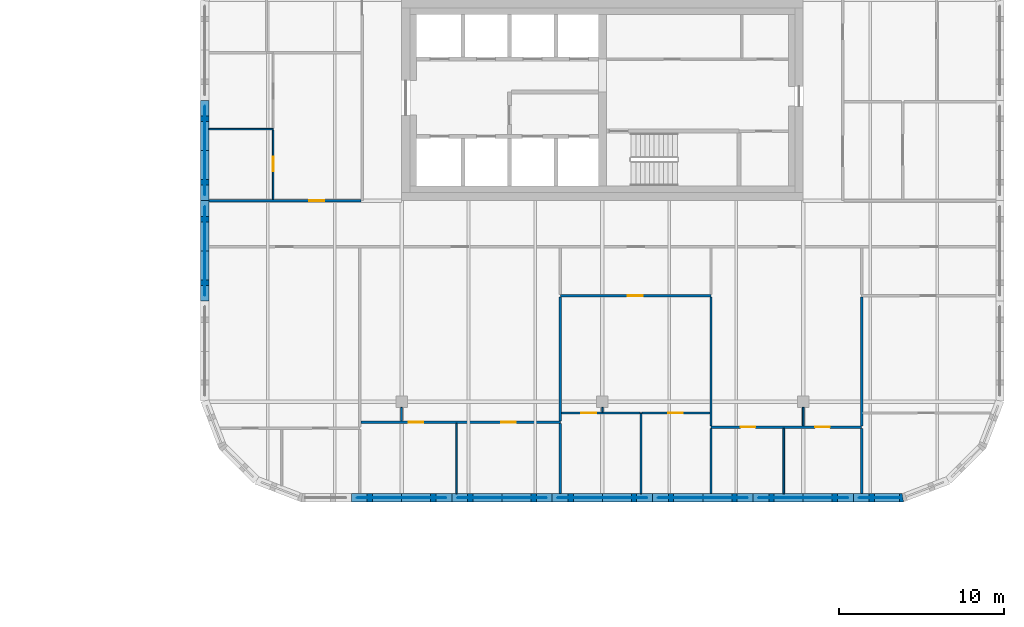
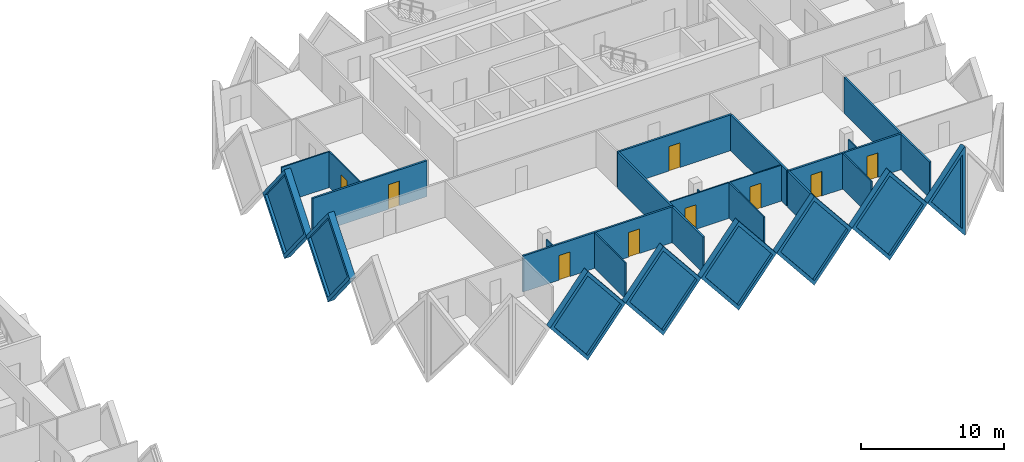
# One storey, part 12 of 19: 28 walls, 9 doors, 8 plates, 17 openings.
"""IFC4 building model written with IfcOpenShell, lengths in metres."""

from ifc_helpers import new_model, si_unit, direction, frame, frame_2d, origin, place, context, subcontext, project, spatial, polyline, rectangle, outline, extrude, faceted_brep, source, transform, mapped, material, layer, layer_set, type_object, element, fill, save


model = new_model("IFC4")

# Units and contexts
model_context = context("Model", 3, precision=1e-05, world=origin(), true_north=direction((0.0, 1.0)))
body_context = subcontext(model_context, "Body", "Model", "MODEL_VIEW")
ifc_project = project(units=[si_unit("LENGTHUNIT", "METRE"), si_unit("AREAUNIT", "SQUARE_METRE"), si_unit("VOLUMEUNIT", "CUBIC_METRE"), si_unit("PLANEANGLEUNIT", "RADIAN"), si_unit("MASSUNIT", "GRAM", prefix="KILO")], contexts=[model_context])

# Site, building, storey
site_placement = place(None, origin())
site = spatial("IfcSite", under=ifc_project, at=site_placement, CompositionType="ELEMENT")
building_placement = place(site_placement, origin())
building = spatial("IfcBuilding", under=site, at=building_placement, Name="Tessera Gate Towers", CompositionType="ELEMENT")
storey_placement = place(building_placement, frame((0.0, 0.0, 76.199951171875)))
storey = spatial("IfcBuildingStorey", under=building, at=storey_placement, Name="L18", CompositionType="ELEMENT", Elevation=76.199951171875)

# Wall, opening, door
ifc_material_1 = material(Name="Gypsum board on steel studs, mineral wool", Category="steel")
ifc_layer_1 = layer(ifc_material_1, 0.14990234375)
ifc_layer_set_1 = layer_set([ifc_layer_1], Name="CORRIDOR WALL 150")
wall_type_1 = type_object("IfcWallType", Name="CORRIDOR WALL 150", PredefinedType="PARTITIONING", material=ifc_layer_set_1)
wall_1_placement = place(storey_placement, frame((85.89990234375, 36.60009765625, 0.0), z_axis=(0.0, 0.0, 1.0), x_axis=(1.0, 0.0, 0.0)))
wall_1 = element("IfcWall", 1, at=wall_1_placement, inside=storey, type_object=wall_type_1, Name="T2-L18-PW-028", PredefinedType="PARTITIONING", context=body_context, shape_type="SweptSolid", body=[
    extrude(rectangle(XDim=9.22412109375, YDim=0.14990234375, at=frame_2d((4.612060546875, 0.0))), origin(), (0.0, 0.0, 1.0), 3.067138671875),
])
shared_shape_1 = source(origin(), body_context, "Body", "SweptSolid", [
    extrude(rectangle(XDim=0.89990234375, YDim=2.10009765625, at=frame_2d((0.449951171875, 1.050048828125))), frame((0.0, 0.0849609375, 0.0), z_axis=(0.0, -1.0, 0.0), x_axis=(1.0, 0.0, 0.0)), (0.0, 0.0, 1.0), 0.169921875),
])
opening_1_placement = place(wall_1_placement, frame((6.10009765625, 0.0, 0.0)))
opening_1 = element("IfcOpeningElement", 2, at=opening_1_placement, cuts=wall_1, Name="Opening D890FD60-B07-03", PredefinedType="OPENING", context=body_context, shape_type="MappedRepresentation", body=[
    mapped(shared_shape_1, transform((0.0, 0.0, 0.0), scale=1.0)),
])
ifc_material_2 = material(Name="Timber door leaf in steel frame", Category="steel")
door_type_1 = type_object("IfcDoorType", Name="CORRIDOR DOOR 900 FD60", OperationType="NOTDEFINED", PredefinedType="DOOR", material=ifc_material_2)
shared_shape_2 = source(origin(), body_context, "Body", "SweptSolid", [
    extrude(rectangle(XDim=0.89990234375, YDim=2.10009765625, at=frame_2d((0.449951171875, 1.050048828125))), frame((0.0, 0.02490234375, 0.0), z_axis=(0.0, -1.0, 0.0), x_axis=(1.0, 0.0, 0.0)), (0.0, 0.0, 1.0), 0.050048828125),
])
door_1_placement = place(opening_1_placement, origin())
door_1 = element("IfcDoor", 3, at=door_1_placement, inside=storey, type_object=door_type_1, Name="T2-L18-PD-028", OperationType="SINGLE_SWING_LEFT", OverallHeight=2.10009765625, OverallWidth=0.89990234375, PredefinedType="DOOR", context=body_context, shape_type="MappedRepresentation", body=[
    mapped(shared_shape_2, transform((0.0, 0.0, 0.0), scale=1.0)),
])
fill(opening_1, door_1)

ifc_material_3 = material(Name="Glass", Category="glass")
ifc_layer_2 = layer(ifc_material_3, 0.10009765625)
ifc_layer_set_2 = layer_set([ifc_layer_2], Name="GLAZED PARTITION 100")
wall_type_2 = type_object("IfcWallType", Name="GLAZED PARTITION 100", PredefinedType="PARTITIONING", material=ifc_layer_set_2)
wall_2_placement = place(storey_placement, frame((89.800048828125, 36.676025390625, 0.0), z_axis=(0.0, 0.0, 1.0), x_axis=(0.0, 1.0, 0.0)))
wall_2 = element("IfcWall", 4, at=wall_2_placement, inside=storey, type_object=wall_type_2, Name="T2-L18-PW-032", PredefinedType="PARTITIONING", context=body_context, shape_type="SweptSolid", body=[
    extrude(rectangle(XDim=4.220703125, YDim=0.10009765625, at=frame_2d((2.1103515625, 0.0))), origin(), (0.0, 0.0, 1.0), 3.067138671875),
])
shared_shape_3 = source(origin(), body_context, "Body", "SweptSolid", [
    extrude(rectangle(XDim=0.89990234375, YDim=2.10009765625, at=frame_2d((0.449951171875, 1.050048828125))), frame((0.0, 0.06005859375, 0.0), z_axis=(0.0, -1.0, 0.0), x_axis=(1.0, 0.0, 0.0)), (0.0, 0.0, 1.0), 0.1201171875),
])
opening_2_placement = place(wall_2_placement, frame((1.699951171875, 0.0, 0.0)))
opening_2 = element("IfcOpeningElement", 5, at=opening_2_placement, cuts=wall_2, Name="Opening D690-B07-01", PredefinedType="OPENING", context=body_context, shape_type="MappedRepresentation", body=[
    mapped(shared_shape_3, transform((0.0, 0.0, 0.0), scale=1.0)),
])
ifc_material_4 = material(Name="Glass in aluminium frame", Category="aluminium")
door_type_2 = type_object("IfcDoorType", Name="GLAZED DOOR 900 NOT RATED", OperationType="NOTDEFINED", PredefinedType="DOOR", material=ifc_material_4)
door_2_placement = place(opening_2_placement, origin())
door_2 = element("IfcDoor", 6, at=door_2_placement, inside=storey, type_object=door_type_2, Name="T2-L18-PD-003", OperationType="SINGLE_SWING_LEFT", OverallHeight=2.10009765625, OverallWidth=0.89990234375, PredefinedType="DOOR", context=body_context, shape_type="MappedRepresentation", body=[
    mapped(shared_shape_2, transform((0.0, 0.0, 0.0), scale=1.0)),
])
fill(opening_2, door_2)

# Walls
ifc_material_5 = material(Name="Gypsum board on steel studs", Category="steel")
ifc_layer_3 = layer(ifc_material_5, 0.10009765625)
ifc_layer_set_3 = layer_set([ifc_layer_3], Name="PARTITION 100")
wall_type_3 = type_object("IfcWallType", Name="PARTITION 100", PredefinedType="PARTITIONING", material=ifc_layer_set_3)
wall_3_placement = place(storey_placement, frame((100.944091796875, 18.800048828125, 0.0), z_axis=(0.0, 0.0, 1.0), x_axis=(0.0, 1.0, 0.0)))
element("IfcWall", 7, at=wall_3_placement, inside=storey, type_object=wall_type_3, Name="T2-L18-PW-002", PredefinedType="PARTITIONING", context=body_context, shape_type="SweptSolid", body=[
    extrude(rectangle(XDim=4.27392578125, YDim=0.10009765625, at=frame_2d((2.136962890625, 0.0))), origin(), (0.0, 0.0, 1.0), 3.067138671875),
])
wall_4_placement = place(storey_placement, frame((112.14501953125, 18.800048828125, 0.0), z_axis=(0.0, 0.0, 1.0), x_axis=(0.0, 1.0, 0.0)))
element("IfcWall", 8, at=wall_4_placement, inside=storey, type_object=wall_type_3, Name="T2-L18-PW-004", PredefinedType="PARTITIONING", context=body_context, shape_type="SweptSolid", body=[
    extrude(rectangle(XDim=4.89990234375, YDim=0.10009765625, at=frame_2d((2.449951171875, 0.0))), origin(), (0.0, 0.0, 1.0), 3.067138671875),
])
wall_5_placement = place(storey_placement, frame((120.820068359375, 18.800048828125, 0.0), z_axis=(0.0, 0.0, 1.0), x_axis=(0.0, 1.0, 0.0)))
element("IfcWall", 9, at=wall_5_placement, inside=storey, type_object=wall_type_3, Name="T2-L18-PW-006", PredefinedType="PARTITIONING", context=body_context, shape_type="SweptSolid", body=[
    extrude(rectangle(XDim=3.973876953125, YDim=0.10009765625, at=frame_2d((1.98681640625, 0.0))), origin(), (0.0, 0.0, 1.0), 3.067138671875),
])

# Wall, opening, door
wall_6_placement = place(storey_placement, frame((112.09423828125, 23.699951171875, 0.0), z_axis=(0.0, 0.0, 1.0), x_axis=(-1.0, 0.0, 0.0)))
wall_6 = element("IfcWall", 10, at=wall_6_placement, inside=storey, type_object=wall_type_3, Name="T2-L18-PW-016", PredefinedType="PARTITIONING", context=body_context, shape_type="SweptSolid", body=[
    extrude(rectangle(XDim=4.768310546875, YDim=0.10009765625, at=frame_2d((2.38427734375, 0.0))), origin(), (0.0, 0.0, 1.0), 3.067138671875),
])
opening_3_placement = place(wall_6_placement, frame((2.668212890625, 0.0, 0.0)))
opening_3 = element("IfcOpeningElement", 11, at=opening_3_placement, cuts=wall_6, Name="Opening D190-B07-06", PredefinedType="OPENING", context=body_context, shape_type="MappedRepresentation", body=[
    mapped(shared_shape_3, transform((0.0, 0.0, 0.0), scale=1.0)),
])
ifc_material_6 = material(Name="Timber door leaf in steel frame", Category="steel")
door_type_3 = type_object("IfcDoorType", Name="INTERNAL DOOR 900 NOT RATED", OperationType="NOTDEFINED", PredefinedType="DOOR", material=ifc_material_6)
door_3_placement = place(opening_3_placement, origin())
door_3 = element("IfcDoor", 12, at=door_3_placement, inside=storey, type_object=door_type_3, Name="T2-L18-PD-009", OperationType="SINGLE_SWING_LEFT", OverallHeight=2.10009765625, OverallWidth=0.89990234375, PredefinedType="DOOR", context=body_context, shape_type="MappedRepresentation", body=[
    mapped(shared_shape_2, transform((0.0, 0.0, 0.0), scale=1.0)),
])
fill(opening_3, door_3)

wall_7_placement = place(storey_placement, frame((116.323974609375, 23.699951171875, 0.0), z_axis=(0.0, 0.0, 1.0), x_axis=(-1.0, 0.0, 0.0)))
wall_7 = element("IfcWall", 13, at=wall_7_placement, inside=storey, type_object=wall_type_3, Name="T2-L18-PW-017", PredefinedType="PARTITIONING", context=body_context, shape_type="SweptSolid", body=[
    extrude(rectangle(XDim=4.127685546875, YDim=0.10009765625, at=frame_2d((2.06396484375, 0.0))), origin(), (0.0, 0.0, 1.0), 3.067138671875),
])
opening_4_placement = place(wall_7_placement, frame((1.627685546875, 0.0, 0.0)))
opening_4 = element("IfcOpeningElement", 14, at=opening_4_placement, cuts=wall_7, Name="Opening D190-B07-02", PredefinedType="OPENING", context=body_context, shape_type="MappedRepresentation", body=[
    mapped(shared_shape_3, transform((0.0, 0.0, 0.0), scale=1.0)),
])
door_4_placement = place(opening_4_placement, origin())
door_4 = element("IfcDoor", 15, at=door_4_placement, inside=storey, type_object=door_type_3, Name="T2-L18-PD-002", OperationType="SINGLE_SWING_RIGHT", OverallHeight=2.10009765625, OverallWidth=0.89990234375, PredefinedType="DOOR", context=body_context, shape_type="MappedRepresentation", body=[
    mapped(shared_shape_2, transform((0.0, 0.0, 0.0), scale=1.0)),
])
fill(opening_4, door_4)

# Walls
wall_8_placement = place(storey_placement, frame((97.60009765625, 24.050048828125, 0.0), z_axis=(0.0, 0.0, 1.0), x_axis=(0.0, -1.0, 0.0)))
element("IfcWall", 16, at=wall_8_placement, inside=storey, type_object=wall_type_3, Name="T2-L18-PW-019", PredefinedType="PARTITIONING", context=body_context, shape_type="SweptSolid", body=[
    extrude(rectangle(XDim=0.824951171875, YDim=0.10009765625, at=frame_2d((0.41259765625, 0.0))), origin(), (0.0, 0.0, 1.0), 3.067138671875),
])
wall_9_placement = place(storey_placement, frame((109.800048828125, 24.050048828125, 0.0), z_axis=(0.0, 0.0, 1.0), x_axis=(0.0, -1.0, 0.0)))
element("IfcWall", 17, at=wall_9_placement, inside=storey, type_object=wall_type_3, Name="T2-L18-PW-020", PredefinedType="PARTITIONING", context=body_context, shape_type="SweptSolid", body=[
    extrude(rectangle(XDim=0.300048828125, YDim=0.10009765625, at=frame_2d((0.14990234375, 0.0))), origin(), (0.0, 0.0, 1.0), 3.067138671875),
])
wall_10_placement = place(storey_placement, frame((122.0, 24.050048828125, 0.0), z_axis=(0.0, 0.0, 1.0), x_axis=(0.0, -1.0, 0.0)))
element("IfcWall", 18, at=wall_10_placement, inside=storey, type_object=wall_type_3, Name="T2-L18-PW-021", PredefinedType="PARTITIONING", context=body_context, shape_type="SweptSolid", body=[
    extrude(rectangle(XDim=1.125, YDim=0.10009765625, at=frame_2d((0.5625, 0.0))), origin(), (0.0, 0.0, 1.0), 3.067138671875),
])
wall_11_placement = place(storey_placement, frame((85.89990234375, 40.947998046875, 0.0), z_axis=(0.0, 0.0, 1.0), x_axis=(1.0, 0.0, 0.0)))
element("IfcWall", 19, at=wall_11_placement, inside=storey, type_object=wall_type_3, Name="T2-L18-PW-034", PredefinedType="PARTITIONING", context=body_context, shape_type="SweptSolid", body=[
    extrude(rectangle(XDim=3.900146484375, YDim=0.10009765625, at=frame_2d((1.9501953125, 0.0))), origin(), (0.0, 0.0, 1.0), 3.067138671875),
])
ifc_material_7 = material(Name="Gypsum board on steel studs, mineral wool", Category="steel")
ifc_layer_4 = layer(ifc_material_7, 0.14990234375)
ifc_layer_set_4 = layer_set([ifc_layer_4], Name="TENANCY WALL 150")
wall_type_4 = type_object("IfcWallType", Name="TENANCY WALL 150", PredefinedType="PARTITIONING", material=ifc_layer_set_4)
wall_12_placement = place(storey_placement, frame((107.25, 18.800048828125, 0.0), z_axis=(0.0, 0.0, 1.0), x_axis=(0.0, 1.0, 0.0)))
element("IfcWall", 20, at=wall_12_placement, inside=storey, type_object=wall_type_4, Name="T2-L18-PW-003", PredefinedType="PARTITIONING", context=body_context, shape_type="SweptSolid", body=[
    extrude(rectangle(XDim=4.27392578125, YDim=0.14990234375, at=frame_2d((2.136962890625, 0.0))), origin(), (0.0, 0.0, 1.0), 3.067138671875),
])
for number, where, z_axis, x_axis, name in (
    (21, (116.39990234375, 18.800048828125, 0.0), (0.0, 0.0, 1.0), (0.0, 1.0, 0.0), "T2-L18-PW-005"),
    (22, (125.550048828125, 18.800048828125, 0.0), (0.0, 0.0, 1.0), (0.0, 1.0, 0.0), "T2-L18-PW-007"),
):
    element("IfcWall", number, at=place(storey_placement, frame(where, z_axis=z_axis, x_axis=x_axis)), inside=storey, type_object=wall_type_4, Name=name, PredefinedType="PARTITIONING", context=body_context, shape_type="SweptSolid", body=[
        extrude(rectangle(XDim=3.973876953125, YDim=0.14990234375, at=frame_2d((1.98681640625, 0.0))), origin(), (0.0, 0.0, 1.0), 3.067138671875),
    ])

# Wall, openings, doors
wall_13_placement = place(storey_placement, frame((125.550048828125, 22.85009765625, 0.0), z_axis=(0.0, 0.0, 1.0), x_axis=(-1.0, 0.0, 0.0)))
wall_13 = element("IfcWall", 23, at=wall_13_placement, inside=storey, type_object=wall_type_4, Name="T2-L18-PW-011", PredefinedType="PARTITIONING", context=body_context, shape_type="SweptSolid", body=[
    extrude(rectangle(XDim=9.150146484375, YDim=0.14990234375, at=frame_2d((4.5751953125, 0.0))), origin(), (0.0, 0.0, 1.0), 3.067138671875),
])
opening_5_placement = place(wall_13_placement, frame((6.449951171875, 0.0, 0.0)))
opening_5 = element("IfcOpeningElement", 24, at=opening_5_placement, cuts=wall_13, Name="Opening D190-B07-03", PredefinedType="OPENING", context=body_context, shape_type="MappedRepresentation", body=[
    mapped(shared_shape_1, transform((0.0, 0.0, 0.0), scale=1.0)),
])
opening_6_placement = place(wall_13_placement, frame((1.9296875, 0.0, 0.0)))
opening_6 = element("IfcOpeningElement", 25, at=opening_6_placement, cuts=wall_13, Name="Opening D190-B07-05", PredefinedType="OPENING", context=body_context, shape_type="MappedRepresentation", body=[
    mapped(shared_shape_1, transform((0.0, 0.0, 0.0), scale=1.0)),
])
door_5_placement = place(opening_5_placement, origin())
door_5 = element("IfcDoor", 26, at=door_5_placement, inside=storey, type_object=door_type_3, Name="T2-L18-PD-004", OperationType="SINGLE_SWING_RIGHT", OverallHeight=2.10009765625, OverallWidth=0.89990234375, PredefinedType="DOOR", context=body_context, shape_type="MappedRepresentation", body=[
    mapped(shared_shape_2, transform((0.0, 0.0, 0.0), scale=1.0)),
])
fill(opening_5, door_5)
door_6_placement = place(opening_6_placement, origin())
door_6 = element("IfcDoor", 27, at=door_6_placement, inside=storey, type_object=door_type_3, Name="T2-L18-PD-008", OperationType="SINGLE_SWING_RIGHT", OverallHeight=2.10009765625, OverallWidth=0.89990234375, PredefinedType="DOOR", context=body_context, shape_type="MappedRepresentation", body=[
    mapped(shared_shape_2, transform((0.0, 0.0, 0.0), scale=1.0)),
])
fill(opening_6, door_6)

# Walls
for number, where, z_axis, x_axis, name in (
    (28, (116.39990234375, 22.926025390625, 0.0), (0.0, 0.0, 1.0), (0.0, 1.0, 0.0), "T2-L18-PW-012"),
    (29, (125.550048828125, 22.926025390625, 0.0), (0.0, 0.0, 1.0), (0.0, 1.0, 0.0), "T2-L18-PW-013"),
):
    element("IfcWall", number, at=place(storey_placement, frame(where, z_axis=z_axis, x_axis=x_axis)), inside=storey, type_object=wall_type_4, Name=name, PredefinedType="PARTITIONING", context=body_context, shape_type="SweptSolid", body=[
        extrude(rectangle(XDim=7.822998046875, YDim=0.14990234375, at=frame_2d((3.91162109375, 0.0))), origin(), (0.0, 0.0, 1.0), 3.067138671875),
    ])

# Wall, openings, doors
wall_14_placement = place(storey_placement, frame((107.25, 23.14990234375, 0.0), z_axis=(0.0, 0.0, 1.0), x_axis=(-1.0, 0.0, 0.0)))
wall_14 = element("IfcWall", 30, at=wall_14_placement, inside=storey, type_object=wall_type_4, Name="T2-L18-PW-014", PredefinedType="PARTITIONING", context=body_context, shape_type="SweptSolid", body=[
    extrude(rectangle(XDim=12.1240234375, YDim=0.14990234375, at=frame_2d((6.06201171875, 0.0))), origin(), (0.0, 0.0, 1.0), 3.067138671875),
])
opening_7_placement = place(wall_14_placement, frame((8.323974609375, 0.0, 0.0)))
opening_7 = element("IfcOpeningElement", 31, at=opening_7_placement, cuts=wall_14, Name="Opening D190-B07-07", PredefinedType="OPENING", context=body_context, shape_type="MappedRepresentation", body=[
    mapped(shared_shape_1, transform((0.0, 0.0, 0.0), scale=1.0)),
])
opening_8_placement = place(wall_14_placement, frame((2.706298828125, 0.0, 0.0)))
opening_8 = element("IfcOpeningElement", 32, at=opening_8_placement, cuts=wall_14, Name="Opening D190-B07-08", PredefinedType="OPENING", context=body_context, shape_type="MappedRepresentation", body=[
    mapped(shared_shape_1, transform((0.0, 0.0, 0.0), scale=1.0)),
])
door_7_placement = place(opening_7_placement, origin())
door_7 = element("IfcDoor", 33, at=door_7_placement, inside=storey, type_object=door_type_3, Name="T2-L18-PD-011", OperationType="SINGLE_SWING_RIGHT", OverallHeight=2.10009765625, OverallWidth=0.89990234375, PredefinedType="DOOR", context=body_context, shape_type="MappedRepresentation", body=[
    mapped(shared_shape_2, transform((0.0, 0.0, 0.0), scale=1.0)),
])
fill(opening_7, door_7)
door_8_placement = place(opening_8_placement, origin())
door_8 = element("IfcDoor", 34, at=door_8_placement, inside=storey, type_object=door_type_3, Name="T2-L18-PD-013", OperationType="SINGLE_SWING_RIGHT", OverallHeight=2.10009765625, OverallWidth=0.89990234375, PredefinedType="DOOR", context=body_context, shape_type="MappedRepresentation", body=[
    mapped(shared_shape_2, transform((0.0, 0.0, 0.0), scale=1.0)),
])
fill(opening_8, door_8)

# Wall
wall_15_placement = place(storey_placement, frame((107.25, 23.22607421875, 0.0), z_axis=(0.0, 0.0, 1.0), x_axis=(0.0, 1.0, 0.0)))
element("IfcWall", 35, at=wall_15_placement, inside=storey, type_object=wall_type_4, Name="T2-L18-PW-015", PredefinedType="PARTITIONING", context=body_context, shape_type="SweptSolid", body=[
    extrude(rectangle(XDim=7.52294921875, YDim=0.14990234375, at=frame_2d((3.761474609375, 0.0))), origin(), (0.0, 0.0, 1.0), 3.067138671875),
])

# Wall, opening, door
wall_16_placement = place(storey_placement, frame((116.39990234375, 30.824951171875, 0.0), z_axis=(0.0, 0.0, 1.0), x_axis=(-1.0, 0.0, 0.0)))
wall_16 = element("IfcWall", 36, at=wall_16_placement, inside=storey, type_object=wall_type_4, Name="T2-L18-PW-022", PredefinedType="PARTITIONING", context=body_context, shape_type="SweptSolid", body=[
    extrude(rectangle(XDim=9.14990234375, YDim=0.14990234375, at=frame_2d((4.574951171875, 0.0))), origin(), (0.0, 0.0, 1.0), 3.067138671875),
])
opening_9_placement = place(wall_16_placement, frame((4.14990234375, 0.0, 0.0)))
opening_9 = element("IfcOpeningElement", 37, at=opening_9_placement, cuts=wall_16, Name="Opening D190-B07-12", PredefinedType="OPENING", context=body_context, shape_type="MappedRepresentation", body=[
    mapped(shared_shape_1, transform((0.0, 0.0, 0.0), scale=1.0)),
])
door_9_placement = place(opening_9_placement, origin())
door_9 = element("IfcDoor", 38, at=door_9_placement, inside=storey, type_object=door_type_3, Name="T2-L18-PD-024", OperationType="SINGLE_SWING_RIGHT", OverallHeight=2.10009765625, OverallWidth=0.89990234375, PredefinedType="DOOR", context=body_context, shape_type="MappedRepresentation", body=[
    mapped(shared_shape_2, transform((0.0, 0.0, 0.0), scale=1.0)),
])
fill(opening_9, door_9)

# Wall, opening, plate
ifc_material_8 = material(Name="Precast concrete C60/75 white", Category="concrete")
ifc_layer_5 = layer(ifc_material_8, 0.5)
ifc_layer_set_5 = layer_set([ifc_layer_5], Name="TS1 tessera")
wall_type_5 = type_object("IfcWallType", Name="TS1 tessera", PredefinedType="SOLIDWALL", material=ifc_layer_set_5)
shared_shape_4 = source(origin(), body_context, "Body", "Brep", [
    faceted_brep([(3.050048828125, -0.25, 0.0), (6.099853515625, -0.25, 3.7998046875), (6.099853515625, -0.25, 3.80029296875), (3.050048828125, -0.25, 7.60009765625), (0.0, -0.25, 3.800048828125), (0.0, 0.25, 3.800048828125), (3.050048828125, 0.25, 7.60009765625), (6.099853515625, 0.25, 3.80029296875), (6.099853515625, 0.25, 3.7998046875), (3.050048828125, 0.25, 0.0)], [[[0, 1, 2, 3, 4]], [[5, 6, 7, 8, 9]], [[9, 8, 1, 0]], [[7, 6, 3, 2]], [[6, 5, 4, 3]], [[5, 9, 0, 4]], [[1, 8, 7, 2]]]),
])
wall_17_placement = place(storey_placement, frame((94.550048828125, 18.550048828125, -3.800048828125), z_axis=(0.0, 0.0, 1.0), x_axis=(1.0, 0.0, 0.0)))
wall_17 = element("IfcWall", 39, at=wall_17_placement, inside=storey, type_object=wall_type_5, Name="Precast tessera T2 TS1-0198", PredefinedType="SOLIDWALL", context=body_context, shape_type="MappedRepresentation", body=[
    mapped(shared_shape_4, transform((0.0, 0.0, 0.0), scale=1.0)),
])
shared_shape_5 = source(origin(), body_context, "Body", "SweptSolid", [
    extrude(outline(polyline([(3.050048828125, 0.3994140625), (5.779541015625, 3.800048828125), (3.050048828125, 7.20068359375), (0.320556640625, 3.800048828125), (3.050048828125, 0.3994140625)])), frame((0.0, 0.260009765625, 0.0), z_axis=(0.0, -1.0, 0.0), x_axis=(1.0, 0.0, 0.0)), (0.0, 0.0, 1.0), 0.52001953125),
])
opening_10_placement = place(wall_17_placement, origin())
opening_10 = element("IfcOpeningElement", 40, at=opening_10_placement, cuts=wall_17, Name="Opening T2-PL2-0376", PredefinedType="OPENING", context=body_context, shape_type="MappedRepresentation", body=[
    mapped(shared_shape_5, transform((0.0, 0.0, 0.0), scale=1.0)),
])
ifc_material_9 = material(Name="Low-e laminated glass", Category="glass")
ifc_layer_6 = layer(ifc_material_9, 0.06005859375)
ifc_layer_set_6 = layer_set([ifc_layer_6], Name="PL2 rhombic pane")
plate_type = type_object("IfcPlateType", Name="PL2 rhombic pane", PredefinedType="SHEET", material=ifc_layer_set_6)
shared_shape_6 = source(origin(), body_context, "Body", "SweptSolid", [
    extrude(outline(polyline([(3.050048828125, 0.3994140625), (5.779541015625, 3.800048828125), (3.050048828125, 7.20068359375), (0.320556640625, 3.800048828125), (3.050048828125, 0.3994140625)])), frame((0.0, 0.030029296875, 0.0), z_axis=(0.0, -1.0, 0.0), x_axis=(1.0, 0.0, 0.0)), (0.0, 0.0, 1.0), 0.06005859375),
])
plate_1_placement = place(opening_10_placement, origin())
plate_1 = element("IfcPlate", 41, at=plate_1_placement, inside=storey, type_object=plate_type, Name="Glass pane T2 PL2-0376", PredefinedType="SHEET", context=body_context, shape_type="MappedRepresentation", body=[
    mapped(shared_shape_6, transform((0.0, 0.0, 0.0), scale=1.0)),
])
fill(opening_10, plate_1)

wall_18_placement = place(storey_placement, frame((112.85009765625, 18.550048828125, -3.800048828125), z_axis=(0.0, 0.0, 1.0), x_axis=(1.0, 0.0, 0.0)))
wall_18 = element("IfcWall", 42, at=wall_18_placement, inside=storey, type_object=wall_type_5, Name="Precast tessera T2 TS1-0201", PredefinedType="SOLIDWALL", context=body_context, shape_type="MappedRepresentation", body=[
    mapped(shared_shape_4, transform((0.0, 0.0, 0.0), scale=1.0)),
])
opening_11_placement = place(wall_18_placement, origin())
opening_11 = element("IfcOpeningElement", 43, at=opening_11_placement, cuts=wall_18, Name="Opening T2-PL2-0379", PredefinedType="OPENING", context=body_context, shape_type="MappedRepresentation", body=[
    mapped(shared_shape_5, transform((0.0, 0.0, 0.0), scale=1.0)),
])
plate_2_placement = place(opening_11_placement, origin())
plate_2 = element("IfcPlate", 44, at=plate_2_placement, inside=storey, type_object=plate_type, Name="Glass pane T2 PL2-0379", PredefinedType="SHEET", context=body_context, shape_type="MappedRepresentation", body=[
    mapped(shared_shape_6, transform((0.0, 0.0, 0.0), scale=1.0)),
])
fill(opening_11, plate_2)

wall_19_placement = place(storey_placement, frame((85.64990234375, 42.699951171875, -3.800048828125), z_axis=(0.0, 0.0, 1.0), x_axis=(0.0, -1.0, 0.0)))
wall_19 = element("IfcWall", 45, at=wall_19_placement, inside=storey, type_object=wall_type_5, Name="Precast tessera T2 TS1-0213", PredefinedType="SOLIDWALL", context=body_context, shape_type="MappedRepresentation", body=[
    mapped(shared_shape_4, transform((0.0, 0.0, 0.0), scale=1.0)),
])
opening_12_placement = place(wall_19_placement, origin())
opening_12 = element("IfcOpeningElement", 46, at=opening_12_placement, cuts=wall_19, Name="Opening T2-PL2-0403", PredefinedType="OPENING", context=body_context, shape_type="MappedRepresentation", body=[
    mapped(shared_shape_5, transform((0.0, 0.0, 0.0), scale=1.0)),
])
plate_3_placement = place(opening_12_placement, origin())
plate_3 = element("IfcPlate", 47, at=plate_3_placement, inside=storey, type_object=plate_type, Name="Glass pane T2 PL2-0403", PredefinedType="SHEET", context=body_context, shape_type="MappedRepresentation", body=[
    mapped(shared_shape_6, transform((0.0, 0.0, 0.0), scale=1.0)),
])
fill(opening_12, plate_3)

shared_shape_7 = source(origin(), body_context, "Body", "SweptSolid", [
    extrude(outline(polyline([(3.050048828125, 0.0), (6.10009765625, 3.800048828125), (3.050048828125, 7.60009765625), (0.0, 3.800048828125), (3.050048828125, 0.0)])), frame((0.0, 0.25, 0.0), z_axis=(0.0, -1.0, 0.0), x_axis=(1.0, 0.0, 0.0)), (0.0, 0.0, 1.0), 0.5),
])
wall_20_placement = place(storey_placement, frame((100.64990234375, 18.550048828125, -3.800048828125), z_axis=(0.0, 0.0, 1.0), x_axis=(1.0, 0.0, 0.0)))
wall_20 = element("IfcWall", 48, at=wall_20_placement, inside=storey, type_object=wall_type_5, Name="Precast tessera T2 TS1-0199", PredefinedType="SOLIDWALL", context=body_context, shape_type="MappedRepresentation", body=[
    mapped(shared_shape_7, transform((0.0, 0.0, 0.0), scale=1.0)),
])
opening_13_placement = place(wall_20_placement, origin())
opening_13 = element("IfcOpeningElement", 49, at=opening_13_placement, cuts=wall_20, Name="Opening T2-PL2-0377", PredefinedType="OPENING", context=body_context, shape_type="MappedRepresentation", body=[
    mapped(shared_shape_5, transform((0.0, 0.0, 0.0), scale=1.0)),
])
plate_4_placement = place(opening_13_placement, origin())
plate_4 = element("IfcPlate", 50, at=plate_4_placement, inside=storey, type_object=plate_type, Name="Glass pane T2 PL2-0377", PredefinedType="SHEET", context=body_context, shape_type="MappedRepresentation", body=[
    mapped(shared_shape_6, transform((0.0, 0.0, 0.0), scale=1.0)),
])
fill(opening_13, plate_4)

wall_21_placement = place(storey_placement, frame((106.75, 18.550048828125, -3.800048828125), z_axis=(0.0, 0.0, 1.0), x_axis=(1.0, 0.0, 0.0)))
wall_21 = element("IfcWall", 51, at=wall_21_placement, inside=storey, type_object=wall_type_5, Name="Precast tessera T2 TS1-0200", PredefinedType="SOLIDWALL", context=body_context, shape_type="MappedRepresentation", body=[
    mapped(shared_shape_7, transform((0.0, 0.0, 0.0), scale=1.0)),
])
opening_14_placement = place(wall_21_placement, origin())
opening_14 = element("IfcOpeningElement", 52, at=opening_14_placement, cuts=wall_21, Name="Opening T2-PL2-0378", PredefinedType="OPENING", context=body_context, shape_type="MappedRepresentation", body=[
    mapped(shared_shape_5, transform((0.0, 0.0, 0.0), scale=1.0)),
])
plate_5_placement = place(opening_14_placement, origin())
plate_5 = element("IfcPlate", 53, at=plate_5_placement, inside=storey, type_object=plate_type, Name="Glass pane T2 PL2-0378", PredefinedType="SHEET", context=body_context, shape_type="MappedRepresentation", body=[
    mapped(shared_shape_6, transform((0.0, 0.0, 0.0), scale=1.0)),
])
fill(opening_14, plate_5)

wall_22_placement = place(storey_placement, frame((118.949951171875, 18.550048828125, -3.800048828125), z_axis=(0.0, 0.0, 1.0), x_axis=(1.0, 0.0, 0.0)))
wall_22 = element("IfcWall", 54, at=wall_22_placement, inside=storey, type_object=wall_type_5, Name="Precast tessera T2 TS1-0202", PredefinedType="SOLIDWALL", context=body_context, shape_type="MappedRepresentation", body=[
    mapped(shared_shape_7, transform((0.0, 0.0, 0.0), scale=1.0)),
])
opening_15_placement = place(wall_22_placement, origin())
opening_15 = element("IfcOpeningElement", 55, at=opening_15_placement, cuts=wall_22, Name="Opening T2-PL2-0380", PredefinedType="OPENING", context=body_context, shape_type="MappedRepresentation", body=[
    mapped(shared_shape_5, transform((0.0, 0.0, 0.0), scale=1.0)),
])
plate_6_placement = place(opening_15_placement, origin())
plate_6 = element("IfcPlate", 56, at=plate_6_placement, inside=storey, type_object=plate_type, Name="Glass pane T2 PL2-0380", PredefinedType="SHEET", context=body_context, shape_type="MappedRepresentation", body=[
    mapped(shared_shape_6, transform((0.0, 0.0, 0.0), scale=1.0)),
])
fill(opening_15, plate_6)

wall_23_placement = place(storey_placement, frame((85.64990234375, 36.60009765625, -3.800048828125), z_axis=(0.0, 0.0, 1.0), x_axis=(0.0, -1.0, 0.0)))
wall_23 = element("IfcWall", 57, at=wall_23_placement, inside=storey, type_object=wall_type_5, Name="Precast tessera T2 TS1-0214", PredefinedType="SOLIDWALL", context=body_context, shape_type="MappedRepresentation", body=[
    mapped(shared_shape_7, transform((0.0, 0.0, 0.0), scale=1.0)),
])
opening_16_placement = place(wall_23_placement, origin())
opening_16 = element("IfcOpeningElement", 58, at=opening_16_placement, cuts=wall_23, Name="Opening T2-PL2-0404", PredefinedType="OPENING", context=body_context, shape_type="MappedRepresentation", body=[
    mapped(shared_shape_5, transform((0.0, 0.0, 0.0), scale=1.0)),
])
plate_7_placement = place(opening_16_placement, origin())
plate_7 = element("IfcPlate", 59, at=plate_7_placement, inside=storey, type_object=plate_type, Name="Glass pane T2 PL2-0404", PredefinedType="SHEET", context=body_context, shape_type="MappedRepresentation", body=[
    mapped(shared_shape_6, transform((0.0, 0.0, 0.0), scale=1.0)),
])
fill(opening_16, plate_7)

ifc_material_10 = material(Name="Precast concrete C60/75 white", Category="concrete")
ifc_layer_7 = layer(ifc_material_10, 0.5)
ifc_layer_set_7 = layer_set([ifc_layer_7], Name="TS3 corner tessera")
wall_type_6 = type_object("IfcWallType", Name="TS3 corner tessera", PredefinedType="SOLIDWALL", material=ifc_layer_set_7)
shared_shape_8 = source(origin(), body_context, "Body", "Brep", [
    faceted_brep([(3.00341796875, -0.25, 0.0), (3.050048828125, -0.25, 0.06005859375), (3.050048828125, -0.25, 7.5400390625), (3.00341796875, -0.25, 7.60009765625), (0.0, -0.25, 3.800048828125), (0.0, 0.25, 3.800048828125), (2.956787109375, 0.25, 7.541259765625), (2.956787109375, 0.25, 0.058837890625), (3.00341796875, 0.000244140625, 0.0), (3.00341796875, 0.000244140625, 7.60009765625)], [[[0, 1, 2, 3, 4]], [[5, 6, 7]], [[1, 0, 8]], [[9, 3, 2]], [[6, 5, 4, 3, 9]], [[5, 7, 8, 0, 4]], [[1, 8, 7, 6, 9, 2]]]),
])
wall_24_placement = place(storey_placement, frame((125.050048828125, 18.550048828125, -3.800048828125), z_axis=(0.0, 0.0, 1.0), x_axis=(1.0, 0.0, 0.0)))
wall_24 = element("IfcWall", 60, at=wall_24_placement, inside=storey, type_object=wall_type_6, Name="Precast corner tessera T2 TS3-0259", PredefinedType="SOLIDWALL", context=body_context, shape_type="MappedRepresentation", body=[
    mapped(shared_shape_8, transform((0.0, 0.0, 0.0), scale=1.0)),
])
shared_shape_9 = source(origin(), body_context, "Body", "SweptSolid", [
    extrude(outline(polyline([(2.803466796875, 6.94384765625), (0.318603515625, 3.800048828125), (2.803466796875, 0.65625), (2.803466796875, 6.94384765625)])), frame((0.0, 0.260009765625, 0.0), z_axis=(0.0, -1.0, 0.0), x_axis=(1.0, 0.0, 0.0)), (0.0, 0.0, 1.0), 0.52001953125),
])
opening_17_placement = place(wall_24_placement, origin())
opening_17 = element("IfcOpeningElement", 61, at=opening_17_placement, cuts=wall_24, Name="Opening T2-PL2-0381", PredefinedType="OPENING", context=body_context, shape_type="MappedRepresentation", body=[
    mapped(shared_shape_9, transform((0.0, 0.0, 0.0), scale=1.0)),
])
shared_shape_10 = source(origin(), body_context, "Body", "SweptSolid", [
    extrude(outline(polyline([(2.803466796875, 6.94384765625), (0.318603515625, 3.800048828125), (2.803466796875, 0.65625), (2.803466796875, 6.94384765625)])), frame((0.0, 0.030029296875, 0.0), z_axis=(0.0, -1.0, 0.0), x_axis=(1.0, 0.0, 0.0)), (0.0, 0.0, 1.0), 0.06005859375),
])
plate_8_placement = place(opening_17_placement, origin())
plate_8 = element("IfcPlate", 62, at=plate_8_placement, inside=storey, type_object=plate_type, Name="Glass pane T2 PL2-0381", PredefinedType="SHEET", context=body_context, shape_type="MappedRepresentation", body=[
    mapped(shared_shape_10, transform((0.0, 0.0, 0.0), scale=1.0)),
])
fill(opening_17, plate_8)

save(model, "model.ifc")
